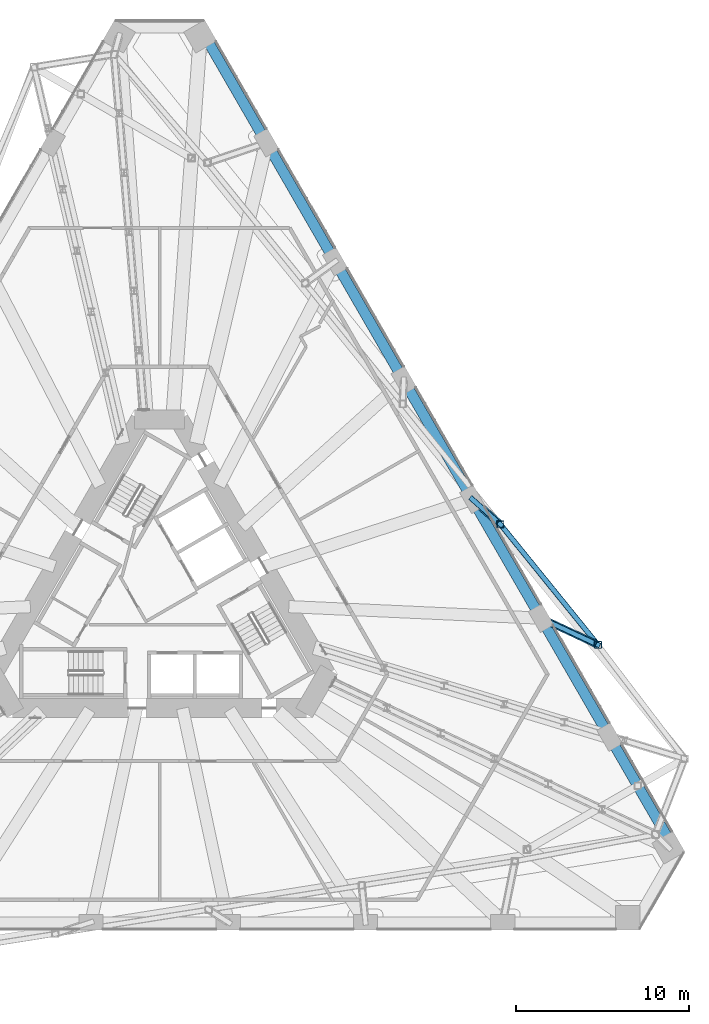
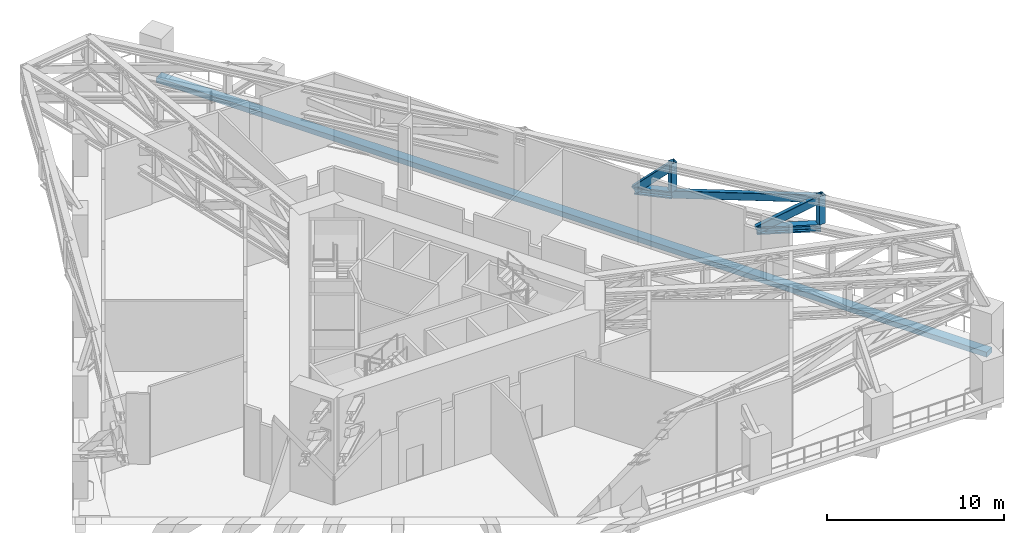
# One storey, part 7 of 20: 7 members, 1 beam.
"""IFC4 building model written with IfcOpenShell, lengths in metres."""

from ifc_helpers import new_model, si_unit, direction, frame, origin, origin_2d, place, context, subcontext, project, spatial, rectangle, hollow_rectangle, i_section, extrude, material, material_profile, profile_set, type_object, element, save


model = new_model("IFC4")

# Units and contexts
model_context = context("Model", 3, precision=1e-05, world=origin(), true_north=direction((0.0, 1.0)))
body_context = subcontext(model_context, "Body", "Model", "MODEL_VIEW")
ifc_project = project(units=[si_unit("LENGTHUNIT", "METRE"), si_unit("AREAUNIT", "SQUARE_METRE"), si_unit("VOLUMEUNIT", "CUBIC_METRE"), si_unit("PLANEANGLEUNIT", "RADIAN"), si_unit("MASSUNIT", "GRAM", prefix="KILO")], contexts=[model_context])

# Site, building, storey
site_placement = place(None, origin())
site = spatial("IfcSite", under=ifc_project, at=site_placement, CompositionType="ELEMENT")
building_placement = place(site_placement, origin())
building = spatial("IfcBuilding", under=site, at=building_placement, Name="Tramontana Tower", CompositionType="ELEMENT")
storey_placement = place(building_placement, frame((0.0, 0.0, 46.0)))
storey = spatial("IfcBuildingStorey", under=building, at=storey_placement, Name="L09", CompositionType="ELEMENT", Elevation=46.0)

# Members
ifc_material_1 = material(Name="Steel ASTM A500 Grade C", Category="steel")
ifc_material_profile_1 = material_profile(ifc_material_1, hollow_rectangle(XDim=0.406494140625, YDim=0.406494140625, WallThickness=0.0146484375, InnerFilletRadius=0.0146484375, OuterFilletRadius=0.029541015625, at=origin_2d()), Name="HSS16X16X5/8")
ifc_profile_set_1 = profile_set([ifc_material_profile_1], Name="Steel ASTM A500 Grade C")
member_type_1 = type_object("IfcMemberType", Name="Belt truss HSS16X16X5/8 post", PredefinedType="POST", material=ifc_profile_set_1)
for number, where, z_axis, x_axis, name in (
    (1, (25.291015625, -2.550048828125, 2.8984375), (0.0, 0.0, 1.0), (1.0, 0.0, 0.0), "Belt truss post C1F11"),
    (2, (19.6591796875, 4.404541015625, 2.8984375), (0.0, 0.0, 1.0), (1.0, 0.0, 0.0), "Belt truss post C1F12"),
):
    element("IfcMember", number, at=place(storey_placement, frame(where, z_axis=z_axis, x_axis=x_axis)), inside=storey, type_object=member_type_1, Name=name, PredefinedType="POST", context=body_context, shape_type="SweptSolid", body=[
        extrude(hollow_rectangle(XDim=0.406494140625, YDim=0.406494140625, WallThickness=0.0146484375, InnerFilletRadius=0.0146484375, OuterFilletRadius=0.029541015625, at=origin_2d()), origin(), (0.0, 0.0, 1.0), 1.95166015625),
    ])
ifc_material_2 = material(Name="Steel ASTM A500 Grade C", Category="steel")
ifc_material_profile_2 = material_profile(ifc_material_2, hollow_rectangle(XDim=0.3046875, YDim=0.508056640625, WallThickness=0.0146484375, InnerFilletRadius=0.0146484375, OuterFilletRadius=0.029541015625, at=origin_2d()), Name="HSS20X12X5/8")
ifc_profile_set_2 = profile_set([ifc_material_profile_2], Name="Steel ASTM A500 Grade C")
member_type_2 = type_object("IfcMemberType", Name="Belt truss HSS20X12X5/8 brace", PredefinedType="BRACE", material=ifc_profile_set_2)
member_1_placement = place(storey_placement, frame((25.291015625, -2.550048828125, 4.600830078125), z_axis=(-0.61487588445, 0.759292285609, -0.213079496284), x_axis=(-0.777139396429, -0.629328498098, 0.0)))
element("IfcMember", 3, at=member_1_placement, inside=storey, type_object=member_type_2, Name="Belt truss diagonal S2.2", PredefinedType="BRACE", context=body_context, shape_type="SweptSolid", body=[
    extrude(hollow_rectangle(XDim=0.3046875, YDim=0.508056640625, WallThickness=0.0146484375, InnerFilletRadius=0.0146484375, OuterFilletRadius=0.029541015625, at=origin_2d()), origin(), (0.0, 0.0, 1.0), 9.159423828125),
])

# Beam
ifc_material_3 = material(Name="Concrete 40 MPa", Category="concrete")
ifc_material_profile_3 = material_profile(ifc_material_3, rectangle(XDim=0.60009765625, YDim=0.35009765625, at=origin_2d()), Name="RC EDGE BEAM 600X350 40 MPa")
ifc_profile_set_3 = profile_set([ifc_material_profile_3], Name="Concrete 40 MPa")
beam_type = type_object("IfcBeamType", Name="RC EDGE BEAM 600X350 40 MPa", PredefinedType="SPANDREL", material=ifc_profile_set_3)
beam_placement = place(storey_placement, frame((29.5712890625, -14.118896484375, -0.52490234375), z_axis=(-0.500001490283, 0.866024543367, 0.0), x_axis=(-0.866024543367, -0.500001490283, 0.0)))
element("IfcBeam", 4, at=beam_placement, inside=storey, type_object=beam_type, Name="Spandrel beam S2 L09", PredefinedType="SPANDREL", context=body_context, shape_type="SweptSolid", body=[
    extrude(rectangle(XDim=0.60009765625, YDim=0.35009765625, at=origin_2d()), origin(), (0.0, 0.0, 1.0), 54.025634765625),
])

# Members
ifc_material_4 = material(Name="Steel ASTM A500 Grade C", Category="steel")
ifc_material_profile_4 = material_profile(ifc_material_4, hollow_rectangle(XDim=0.3046875, YDim=0.508056640625, WallThickness=0.0146484375, InnerFilletRadius=0.0146484375, OuterFilletRadius=0.029541015625, at=origin_2d()), Name="HSS20X12X5/8")
ifc_profile_set_4 = profile_set([ifc_material_profile_4], Name="Steel ASTM A500 Grade C")
member_type_3 = type_object("IfcMemberType", Name="Transfer truss HSS20X12X5/8 brace", PredefinedType="BRACE", material=ifc_profile_set_4)
member_2_placement = place(storey_placement, frame((22.003173828125, -1.0107421875, 2.649169921875), z_axis=(0.797692233299, -0.373464730894, 0.473509446276), x_axis=(0.424011699954, 0.905656711068, 0.0)))
element("IfcMember", 5, at=member_2_placement, inside=storey, type_object=member_type_3, Name="Transfer truss strut C1F11 diagonal", PredefinedType="BRACE", context=body_context, shape_type="SweptSolid", body=[
    extrude(hollow_rectangle(XDim=0.3046875, YDim=0.508056640625, WallThickness=0.0146484375, InnerFilletRadius=0.0146484375, OuterFilletRadius=0.029541015625, at=origin_2d()), origin(), (0.0, 0.0, 1.0), 4.12158203125),
])
member_3_placement = place(storey_placement, frame((18.044189453125, 5.846435546875, 2.649169921875), z_axis=(0.55405994342, -0.494675438524, 0.669562386651), x_axis=(0.666000082666, 0.74595166726, 0.0)))
element("IfcMember", 6, at=member_3_placement, inside=storey, type_object=member_type_3, Name="Transfer truss strut C1F12 diagonal", PredefinedType="BRACE", context=body_context, shape_type="SweptSolid", body=[
    extrude(hollow_rectangle(XDim=0.3046875, YDim=0.508056640625, WallThickness=0.0146484375, InnerFilletRadius=0.0146484375, OuterFilletRadius=0.029541015625, at=origin_2d()), origin(), (0.0, 0.0, 1.0), 2.914794921875),
])
ifc_material_5 = material(Name="Steel ASTM A992 Grade 50", Category="steel")
ifc_material_profile_5 = material_profile(ifc_material_5, i_section(OverallWidth=0.431884765625, OverallDepth=0.49853515625, WebThickness=0.0556640625, FlangeThickness=0.0888671875, FilletRadius=0.01513671875, at=origin_2d()), Name="W14X500")
ifc_profile_set_5 = profile_set([ifc_material_profile_5], Name="Steel ASTM A992 Grade 50")
member_type_4 = type_object("IfcMemberType", Name="Transfer truss W14X500 strut", PredefinedType="STRUT", material=ifc_profile_set_5)
member_4_placement = place(storey_placement, frame((22.003173828125, -1.0107421875, 2.649169921875), z_axis=(0.905656711068, -0.424011699954, 0.0), x_axis=(0.424011699954, 0.905656711068, 0.0)))
element("IfcMember", 7, at=member_4_placement, inside=storey, type_object=member_type_4, Name="Transfer truss strut C1F11 bottom", PredefinedType="STRUT", context=body_context, shape_type="SweptSolid", body=[
    extrude(i_section(OverallWidth=0.431884765625, OverallDepth=0.49853515625, WebThickness=0.0556640625, FlangeThickness=0.0888671875, FilletRadius=0.01513671875, at=origin_2d()), origin(), (0.0, 0.0, 1.0), 3.63037109375),
])
member_5_placement = place(storey_placement, frame((18.044189453125, 5.846435546875, 2.649169921875), z_axis=(0.74595166726, -0.666000082666, 0.0), x_axis=(0.666000082666, 0.74595166726, 0.0)))
element("IfcMember", 8, at=member_5_placement, inside=storey, type_object=member_type_4, Name="Transfer truss strut C1F12 bottom", PredefinedType="STRUT", context=body_context, shape_type="SweptSolid", body=[
    extrude(i_section(OverallWidth=0.431884765625, OverallDepth=0.49853515625, WebThickness=0.0556640625, FlangeThickness=0.0888671875, FilletRadius=0.01513671875, at=origin_2d()), origin(), (0.0, 0.0, 1.0), 2.1650390625),
])

save(model, "model.ifc")
